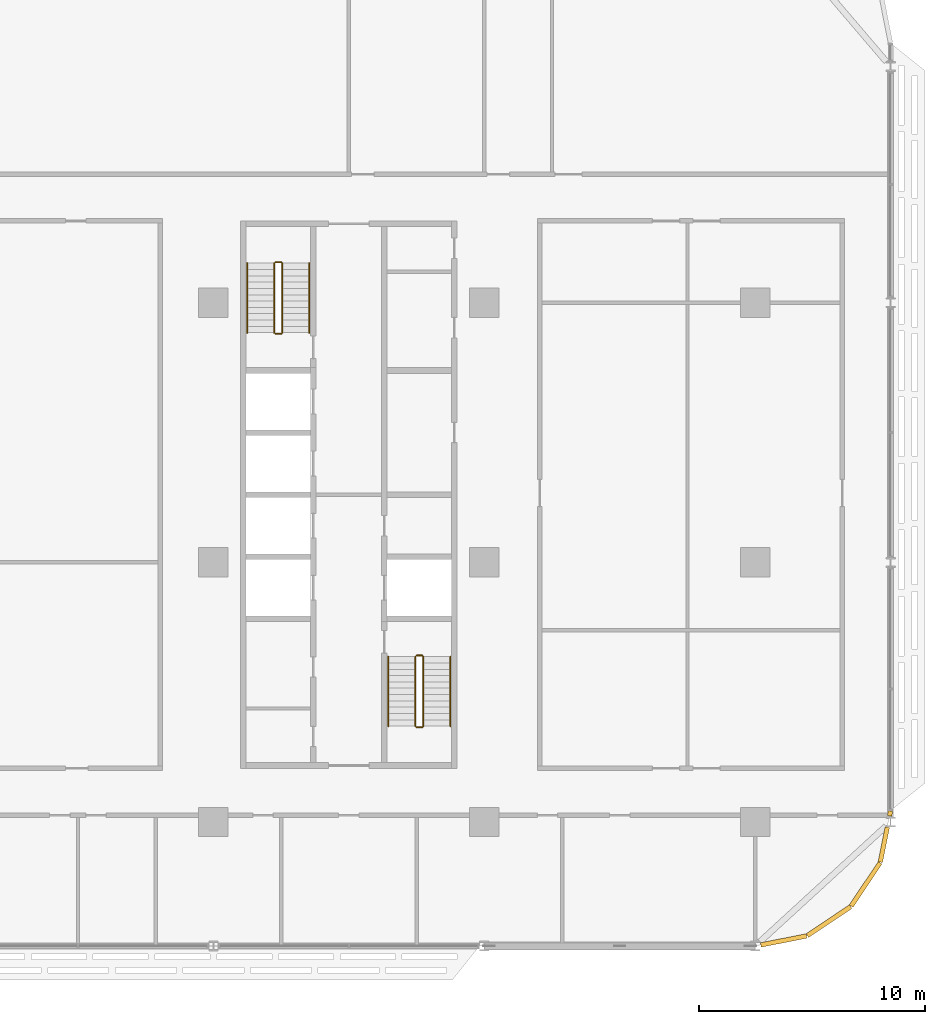
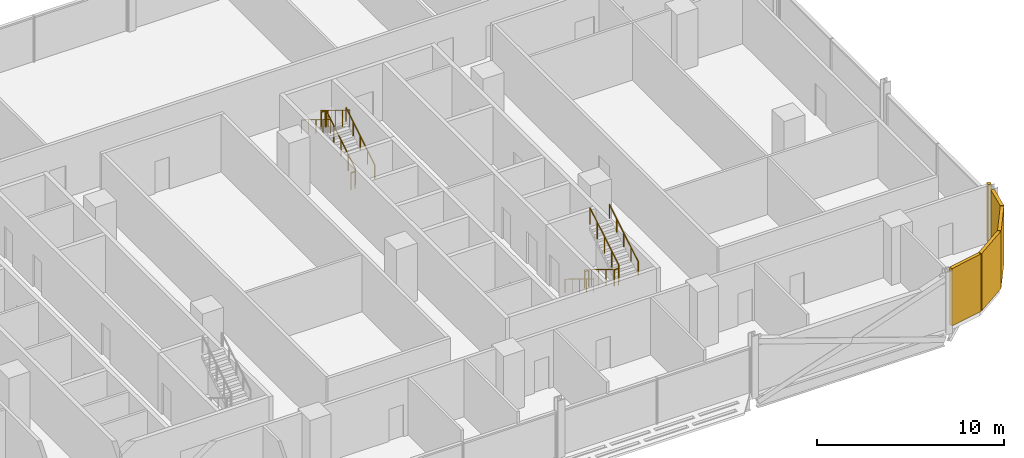
# One storey, part 28 of 29: 12 railings, 5 coverings.
"""IFC4 building model written with IfcOpenShell, lengths in metres."""

import ifcopenshell
import ifcopenshell.guid

model = None  # the IFC model being written
_history = None  # IfcOwnerHistory: only IFC2X3 demands one
_inside = {}  # id of a spatial element -> (the spatial element, [elements in it])
_under = {}  # id of a project, library or spatial element -> (it, [spatial elements below it])
_declared = {}  # id of a project -> (the project, [libraries it declares])
_typed = {}  # id of a type object -> (the type object, [elements of that type])
_made_of = {}  # id of a material, layer set ... -> (it, [elements and type objects made of it])


def new_model(schema):
    """Start an empty IFC model of exactly this schema.

    Asked for "IFC4X3", IfcOpenShell would pick the latest addendum, in which some entities
    have other attributes; the version numbers below select the first issue.
    IFC2X3 requires an IfcOwnerHistory on every rooted entity: one is made here for all.
    """
    global model, _history
    if schema == "IFC4X3":
        model = ifcopenshell.file(schema_version=(4, 3, 0, 0))
    else:
        model = ifcopenshell.file(schema=schema)
    _inside.clear()
    _under.clear()
    _declared.clear()
    _typed.clear()
    _made_of.clear()
    _history = None
    if model.schema == "IFC2X3":
        org = make("IfcOrganization", Name="unknown")
        user = make(
            "IfcPersonAndOrganization",
            ThePerson=make("IfcPerson", FamilyName="unknown"),
            TheOrganization=org,
        )
        app = make(
            "IfcApplication",
            ApplicationDeveloper=org,
            Version="unknown",
            ApplicationFullName="unknown",
            ApplicationIdentifier="unknown",
        )
        _history = make(
            "IfcOwnerHistory",
            OwningUser=user,
            OwningApplication=app,
            ChangeAction="ADDED",
            CreationDate=0,
        )
    return model


def make(cls, **values):
    """One entity of the class cls with the attributes given. An attribute that is None is left unset."""
    return model.create_entity(
        cls, **{name: value for name, value in values.items() if value is not None}
    )


def rooted(cls, **values):
    """An entity with a GlobalId (a new one), such as an element, a storey or a relation."""
    return make(cls, GlobalId=ifcopenshell.guid.new(), OwnerHistory=_history, **values)


def si_unit(unit_type, name, prefix=None):
    """IfcSIUnit, for example si_unit("LENGTHUNIT", "METRE", prefix="MILLI")."""
    return make("IfcSIUnit", UnitType=unit_type, Prefix=prefix, Name=name)


def assignment(units):
    """IfcUnitAssignment: the units of a project."""
    return None if units is None else make("IfcUnitAssignment", Units=units)


def point(xyz):
    """IfcCartesianPoint."""
    return None if xyz is None else make("IfcCartesianPoint", Coordinates=xyz)


def direction(xyz):
    """IfcDirection."""
    return None if xyz is None else make("IfcDirection", DirectionRatios=xyz)


def frame(location, z_axis=None, x_axis=None):
    """IfcAxis2Placement3D, a coordinate frame: its origin and axes. An axis left out is left unset."""
    return make(
        "IfcAxis2Placement3D",
        Location=point(location),
        Axis=direction(z_axis),
        RefDirection=direction(x_axis),
    )


def frame_2d(location, x_axis=None):
    """IfcAxis2Placement2D, a coordinate frame in the plane: its origin and x axis."""
    return make(
        "IfcAxis2Placement2D", Location=point(location), RefDirection=direction(x_axis)
    )


def origin():
    """The frame at (0, 0, 0) with its axes left unset."""
    return frame((0.0, 0.0, 0.0))


def origin_2d():
    """The frame at (0, 0) in the plane with its x axis left unset."""
    return frame_2d((0.0, 0.0))


def place(relative_to, where):
    """IfcLocalPlacement: puts the frame where relative to a parent placement (None: the world)."""
    return make(
        "IfcLocalPlacement", PlacementRelTo=relative_to, RelativePlacement=where
    )


def context(
    kind, dimensions, precision=None, world=None, true_north=None, identifier=None
):
    """IfcGeometricRepresentationContext, for example the 3D "Model" context."""
    return make(
        "IfcGeometricRepresentationContext",
        ContextIdentifier=identifier,
        ContextType=kind,
        CoordinateSpaceDimension=dimensions,
        Precision=precision,
        WorldCoordinateSystem=world,
        TrueNorth=true_north,
    )


def subcontext(parent, identifier, kind, view, scale=None):
    """IfcGeometricRepresentationSubContext, for example "Body" below "Model"."""
    return make(
        "IfcGeometricRepresentationSubContext",
        ContextIdentifier=identifier,
        ContextType=kind,
        ParentContext=parent,
        TargetScale=scale,
        TargetView=view,
    )


def project(units=None, contexts=None):
    """IfcProject with its units and contexts."""
    return rooted(
        "IfcProject",
        Name="project",
        RepresentationContexts=contexts,
        UnitsInContext=assignment(units),
    )


def spatial(cls, under=None, at=None, **own):
    """A site, building, storey or space (cls), placed at a placement, below another one or the project."""
    s = rooted(cls, ObjectPlacement=at, **own)
    if under is not None:
        _under.setdefault(under.id(), (under, []))[1].append(s)
    return s


def profile(cls, at=None, kind="AREA", **sizes):
    """A parametric profile (cls). Its sizes go by their IFC names, for example OverallWidth=200.0."""
    return make(cls, ProfileType=kind, Position=at, **sizes)


def rectangle(**sizes):
    """IfcRectangleProfileDef."""
    return profile("IfcRectangleProfileDef", **sizes)


def circle(**sizes):
    """IfcCircleProfileDef."""
    return profile("IfcCircleProfileDef", **sizes)


def extrude(swept, where, along, depth):
    """IfcExtrudedAreaSolid: the profile swept, set in the frame where, extruded along a direction by depth."""
    return make(
        "IfcExtrudedAreaSolid",
        SweptArea=swept,
        Position=where,
        ExtrudedDirection=direction(along),
        Depth=depth,
    )


def shape(context_of_items, identifier, shape_type, items):
    """IfcShapeRepresentation: the items that make up one representation, for example the "Body"."""
    return make(
        "IfcShapeRepresentation",
        ContextOfItems=context_of_items,
        RepresentationIdentifier=identifier,
        RepresentationType=shape_type,
        Items=items,
    )


def material(Name=None, Category=None):
    """IfcMaterial."""
    return make("IfcMaterial", Name=Name, Category=Category)


def layer(
    of_material, thickness, ventilated=None, Name=None, Category=None, Priority=None
):
    """IfcMaterialLayer: one layer of a wall or slab, of a material (None: an air gap)."""
    return make(
        "IfcMaterialLayer",
        Material=of_material,
        LayerThickness=thickness,
        IsVentilated=ventilated,
        Name=Name,
        Category=Category,
        Priority=Priority,
    )


def layer_set(layers, Name=None):
    """IfcMaterialLayerSet."""
    return make("IfcMaterialLayerSet", MaterialLayers=layers, LayerSetName=Name)


def made_of(thing, what):
    """Note that an element or type object is made of a material, layer set ...; save() writes the relation."""
    if what is not None:
        _made_of.setdefault(what.id(), (what, []))[1].append(thing)
    return thing


def type_object(cls, material=None, **own):
    """A type object (cls), such as IfcWallType, which elements share."""
    return made_of(rooted(cls, **own), material)


def element(
    cls,
    number,
    at=None,
    inside=None,
    cuts=None,
    type_object=None,
    material=None,
    context=None,
    identifier="Body",
    shape_type=None,
    held_by="IfcProductDefinitionShape",
    body=None,
    shapes=None,
    **own,
):
    """One element of the class cls, such as IfcWall. Its Tag is "e" and its number.

    at: its placement. inside: the storey or other place that contains it. cuts: it is an
    opening in that element (IfcRelVoidsElement). A single representation is given by context,
    identifier, shape_type and body (its items); several are given by shapes. held_by: the class
    of the entity that holds the representations. save() writes the other relations.
    """
    e = rooted(cls, Tag="e%d" % number, ObjectPlacement=at, **own)
    if body is not None:
        shapes = [shape(context, identifier, shape_type, body)]
    if shapes is not None:
        e.Representation = make(held_by, Representations=shapes)
    if inside is not None:
        _inside.setdefault(inside.id(), (inside, []))[1].append(e)
    if cuts is not None:
        rooted(
            "IfcRelVoidsElement", RelatingBuildingElement=cuts, RelatedOpeningElement=e
        )
    if type_object is not None:
        _typed.setdefault(type_object.id(), (type_object, []))[1].append(e)
    return made_of(e, material)


def aggregate(whole, parts):
    """IfcRelAggregates: a whole, such as a stair, and the parts it consists of."""
    return rooted("IfcRelAggregates", RelatingObject=whole, RelatedObjects=parts)


def save(model, path):
    """Write the relations noted so far, then the file.

    IfcRelAggregates (storeys below a building ...), IfcRelContainedInSpatialStructure (elements
    in a storey), IfcRelDefinesByType, IfcRelAssociatesMaterial and IfcRelDeclares: one each for
    every whole, place, type object, material and project.
    """
    for whole, parts in _under.values():
        aggregate(whole, parts)
    for where, things in _inside.values():
        rooted(
            "IfcRelContainedInSpatialStructure",
            RelatedElements=things,
            RelatingStructure=where,
        )
    for kind, things in _typed.values():
        rooted("IfcRelDefinesByType", RelatedObjects=things, RelatingType=kind)
    for what, things in _made_of.values():
        rooted("IfcRelAssociatesMaterial", RelatedObjects=things, RelatingMaterial=what)
    for by, libraries in _declared.values():
        rooted("IfcRelDeclares", RelatingContext=by, RelatedDefinitions=libraries)
    model.write(path)


model = new_model("IFC4")

# Units and contexts
model_context = context("Model", 3, precision=1e-05, world=origin(), true_north=direction((0.0, 1.0)))
body_context = subcontext(model_context, "Body", "Model", "MODEL_VIEW")
ifc_project = project(units=[si_unit("LENGTHUNIT", "METRE"), si_unit("AREAUNIT", "SQUARE_METRE"), si_unit("VOLUMEUNIT", "CUBIC_METRE"), si_unit("PLANEANGLEUNIT", "RADIAN"), si_unit("MASSUNIT", "GRAM", prefix="KILO")], contexts=[model_context])

# Site, building, storey
site_placement = place(None, origin())
site = spatial("IfcSite", under=ifc_project, at=site_placement, CompositionType="ELEMENT")
building_placement = place(site_placement, origin())
building = spatial("IfcBuilding", under=site, at=building_placement, Name="Mahtab Terrace Research Tower", CompositionType="ELEMENT")
storey_placement = place(building_placement, frame((0.0, 0.0, 146.60009765625)))
storey = spatial("IfcBuildingStorey", under=building, at=storey_placement, Name="L34", CompositionType="ELEMENT", Elevation=146.60009765625)

# Coverings
ifc_material_1 = material(Name="Black aluminium cladding panel", Category="aluminium")
ifc_layer = layer(ifc_material_1, 0.199951171875)
ifc_layer_set = layer_set([ifc_layer], Name="Black metal corner cladding 200")
covering_type = type_object("IfcCoveringType", Name="Black metal corner cladding 200", PredefinedType="CLADDING", material=ifc_layer_set)
covering_1_placement = place(storey_placement, frame((43.263916015625, -16.74853515625, 0.0), z_axis=(0.0, 0.0, 1.0), x_axis=(0.980760981187, 0.195212442692, 0.0)))
element("IfcCovering", 1, at=covering_1_placement, inside=storey, type_object=covering_type, Name="Corner cladding L34 31", PredefinedType="CLADDING", context=body_context, shape_type="SweptSolid", body=[
    extrude(rectangle(XDim=2.064697265625, YDim=0.199951171875, at=origin_2d()), origin(), (0.0, 0.0, 1.0), 3.760009765625),
])
for number, where, z_axis, x_axis, name in (
    (2, (45.26953125, -15.89306640625, 0.0), (0.0, 0.0, 1.0), (0.831655794326, 0.555291490808, 0.0), "Corner cladding L34 32"),
    (3, (46.89306640625, -14.26953125, 0.0), (0.0, 0.0, 1.0), (0.555291490808, 0.831655794326, 0.0), "Corner cladding L34 33"),
):
    element("IfcCovering", number, at=place(storey_placement, frame(where, z_axis=z_axis, x_axis=x_axis)), inside=storey, type_object=covering_type, Name=name, PredefinedType="CLADDING", context=body_context, shape_type="SweptSolid", body=[
        extrude(rectangle(XDim=2.30126953125, YDim=0.199951171875, at=origin_2d()), origin(), (0.0, 0.0, 1.0), 3.760009765625),
    ])
covering_2_placement = place(storey_placement, frame((47.700439453125, -12.50439453125, 0.0), z_axis=(0.0, 0.0, 1.0), x_axis=(0.195212442692, 0.980760981187, 0.0)))
element("IfcCovering", 4, at=covering_2_placement, inside=storey, type_object=covering_type, Name="Corner cladding L34 34", PredefinedType="CLADDING", context=body_context, shape_type="SweptSolid", body=[
    extrude(rectangle(XDim=1.574462890625, YDim=0.199951171875, at=origin_2d()), origin(), (0.0, 0.0, 1.0), 3.760009765625),
])
covering_3_placement = place(storey_placement, frame((47.97607421875, -11.11962890625, 0.0), z_axis=(0.0, 0.0, 1.0), x_axis=(0.195212442692, 0.980760981187, 0.0)))
element("IfcCovering", 5, at=covering_3_placement, inside=storey, type_object=covering_type, Name="Corner cladding L34 35", PredefinedType="CLADDING", context=body_context, shape_type="SweptSolid", body=[
    extrude(rectangle(XDim=0.22412109375, YDim=0.199951171875, at=origin_2d()), origin(), (0.0, 0.0, 1.0), 3.760009765625),
])

# Railings
ifc_material_2 = material(Name="Stainless steel AISI 304", Category="steel")
railing_type_1 = type_object("IfcRailingType", Name="Stair guard 1100", PredefinedType="GUARDRAIL", material=ifc_material_2)
railing_1_placement = place(storey_placement, frame((21.050048828125, 10.175048828125, 0.170654296875)))
element("IfcRailing", 6, at=railing_1_placement, inside=storey, type_object=railing_type_1, Name="L34 ST3 stair guard 1", PredefinedType="GUARDRAIL", context=body_context, shape_type="SweptSolid", body=[
    extrude(circle(Radius=0.02392578125, at=origin_2d()), frame((0.0, 0.0, 1.076171875), z_axis=(0.0, 0.853647949592, 0.520850437417), x_axis=(-1.0, 0.0, 0.0)), (0.0, 0.0, 1.0), 3.60791015625),
    extrude(circle(Radius=0.02099609375, at=origin_2d()), origin(), (0.0, 0.0, 1.0), 1.052001953125),
    extrude(circle(Radius=0.02099609375, at=origin_2d()), frame((0.0, 0.77001953125, 0.4697265625)), (0.0, 0.0, 1.0), 1.052001953125),
    extrude(circle(Radius=0.02099609375, at=origin_2d()), frame((0.0, 1.5400390625, 0.939453125)), (0.0, 0.0, 1.0), 1.052001953125),
    extrude(circle(Radius=0.02099609375, at=origin_2d()), frame((0.0, 2.309814453125, 1.409423828125)), (0.0, 0.0, 1.0), 1.052001953125),
    extrude(circle(Radius=0.02099609375, at=origin_2d()), frame((0.0, 3.079833984375, 1.879150390625)), (0.0, 0.0, 1.0), 1.052001953125),
])
railing_2_placement = place(storey_placement, frame((21.0, 13.304931640625, 2.0498046875)))
element("IfcRailing", 7, at=railing_2_placement, inside=storey, type_object=railing_type_1, Name="L34 ST3 stair guard 2", PredefinedType="GUARDRAIL", context=body_context, shape_type="SweptSolid", body=[
    extrude(circle(Radius=0.02392578125, at=origin_2d()), frame((0.0, 0.0, 1.076171875), z_axis=(-1.0, 0.0, 0.0), x_axis=(0.0, -1.0, 0.0)), (0.0, 0.0, 1.0), 0.25),
    extrude(circle(Radius=0.02099609375, at=origin_2d()), origin(), (0.0, 0.0, 1.0), 1.052001953125),
    extrude(circle(Radius=0.02099609375, at=origin_2d()), frame((-0.25, 0.0, 0.0)), (0.0, 0.0, 1.0), 1.052001953125),
])
railing_3_placement = place(storey_placement, frame((20.699951171875, 13.2548828125, 2.220703125)))
element("IfcRailing", 8, at=railing_3_placement, inside=storey, type_object=railing_type_1, Name="L34 ST3 stair guard 3", PredefinedType="GUARDRAIL", context=body_context, shape_type="SweptSolid", body=[
    extrude(circle(Radius=0.02392578125, at=origin_2d()), frame((0.0, 0.0, 1.076171875), z_axis=(0.0, -0.853647949592, 0.520850437417), x_axis=(1.0, 0.0, 0.0)), (0.0, 0.0, 1.0), 3.60791015625),
    extrude(circle(Radius=0.02099609375, at=origin_2d()), origin(), (0.0, 0.0, 1.0), 1.052001953125),
    extrude(circle(Radius=0.02099609375, at=origin_2d()), frame((0.0, -0.77001953125, 0.4697265625)), (0.0, 0.0, 1.0), 1.052001953125),
    extrude(circle(Radius=0.02099609375, at=origin_2d()), frame((0.0, -1.5400390625, 0.939453125)), (0.0, 0.0, 1.0), 1.052001953125),
    extrude(circle(Radius=0.02099609375, at=origin_2d()), frame((0.0, -2.309814453125, 1.409423828125)), (0.0, 0.0, 1.0), 1.052001953125),
    extrude(circle(Radius=0.02099609375, at=origin_2d()), frame((0.0, -3.079833984375, 1.879150390625)), (0.0, 0.0, 1.0), 1.052001953125),
])
railing_4_placement = place(storey_placement, frame((21.0, 10.125, 0.0)))
element("IfcRailing", 9, at=railing_4_placement, inside=storey, type_object=railing_type_1, Name="L34 ST3 stair guard 4", PredefinedType="GUARDRAIL", context=body_context, shape_type="SweptSolid", body=[
    extrude(circle(Radius=0.02392578125, at=origin_2d()), frame((0.0, 0.0, 1.076171875), z_axis=(-1.0, 0.0, 0.0), x_axis=(0.0, -1.0, 0.0)), (0.0, 0.0, 1.0), 0.25),
    extrude(circle(Radius=0.02099609375, at=origin_2d()), origin(), (0.0, 0.0, 1.0), 1.052001953125),
    extrude(circle(Radius=0.02099609375, at=origin_2d()), frame((-0.25, 0.0, 0.0)), (0.0, 0.0, 1.0), 1.052001953125),
])
railing_5_placement = place(storey_placement, frame((26.949951171875, -4.175048828125, 0.170654296875)))
element("IfcRailing", 10, at=railing_5_placement, inside=storey, type_object=railing_type_1, Name="L34 ST4 stair guard 1", PredefinedType="GUARDRAIL", context=body_context, shape_type="SweptSolid", body=[
    extrude(circle(Radius=0.02392578125, at=origin_2d()), frame((0.0, 0.0, 1.076171875), z_axis=(0.0, -0.853647949592, 0.520850437417), x_axis=(1.0, 0.0, 0.0)), (0.0, 0.0, 1.0), 3.60791015625),
    extrude(circle(Radius=0.02099609375, at=origin_2d()), origin(), (0.0, 0.0, 1.0), 1.052001953125),
    extrude(circle(Radius=0.02099609375, at=origin_2d()), frame((0.0, -0.77001953125, 0.4697265625)), (0.0, 0.0, 1.0), 1.052001953125),
    extrude(circle(Radius=0.02099609375, at=origin_2d()), frame((0.0, -1.5400390625, 0.939453125)), (0.0, 0.0, 1.0), 1.052001953125),
    extrude(circle(Radius=0.02099609375, at=origin_2d()), frame((0.0, -2.309814453125, 1.409423828125)), (0.0, 0.0, 1.0), 1.052001953125),
    extrude(circle(Radius=0.02099609375, at=origin_2d()), frame((0.0, -3.079833984375, 1.879150390625)), (0.0, 0.0, 1.0), 1.052001953125),
])
railing_6_placement = place(storey_placement, frame((27.0, -7.304931640625, 2.0498046875)))
element("IfcRailing", 11, at=railing_6_placement, inside=storey, type_object=railing_type_1, Name="L34 ST4 stair guard 2", PredefinedType="GUARDRAIL", context=body_context, shape_type="SweptSolid", body=[
    extrude(circle(Radius=0.02392578125, at=origin_2d()), frame((0.0, 0.0, 1.076171875), z_axis=(1.0, 0.0, 0.0), x_axis=(0.0, 1.0, 0.0)), (0.0, 0.0, 1.0), 0.25),
    extrude(circle(Radius=0.02099609375, at=origin_2d()), origin(), (0.0, 0.0, 1.0), 1.052001953125),
    extrude(circle(Radius=0.02099609375, at=origin_2d()), frame((0.25, 0.0, 0.0)), (0.0, 0.0, 1.0), 1.052001953125),
])
railing_7_placement = place(storey_placement, frame((27.300048828125, -7.2548828125, 2.220703125)))
element("IfcRailing", 12, at=railing_7_placement, inside=storey, type_object=railing_type_1, Name="L34 ST4 stair guard 3", PredefinedType="GUARDRAIL", context=body_context, shape_type="SweptSolid", body=[
    extrude(circle(Radius=0.02392578125, at=origin_2d()), frame((0.0, 0.0, 1.076171875), z_axis=(0.0, 0.853647949592, 0.520850437417), x_axis=(-1.0, 0.0, 0.0)), (0.0, 0.0, 1.0), 3.60791015625),
    extrude(circle(Radius=0.02099609375, at=origin_2d()), origin(), (0.0, 0.0, 1.0), 1.052001953125),
    extrude(circle(Radius=0.02099609375, at=origin_2d()), frame((0.0, 0.77001953125, 0.4697265625)), (0.0, 0.0, 1.0), 1.052001953125),
    extrude(circle(Radius=0.02099609375, at=origin_2d()), frame((0.0, 1.5400390625, 0.939453125)), (0.0, 0.0, 1.0), 1.052001953125),
    extrude(circle(Radius=0.02099609375, at=origin_2d()), frame((0.0, 2.309814453125, 1.409423828125)), (0.0, 0.0, 1.0), 1.052001953125),
    extrude(circle(Radius=0.02099609375, at=origin_2d()), frame((0.0, 3.079833984375, 1.879150390625)), (0.0, 0.0, 1.0), 1.052001953125),
])
railing_8_placement = place(storey_placement, frame((27.0, -4.125, 0.0)))
element("IfcRailing", 13, at=railing_8_placement, inside=storey, type_object=railing_type_1, Name="L34 ST4 stair guard 4", PredefinedType="GUARDRAIL", context=body_context, shape_type="SweptSolid", body=[
    extrude(circle(Radius=0.02392578125, at=origin_2d()), frame((0.0, 0.0, 1.076171875), z_axis=(1.0, 0.0, 0.0), x_axis=(0.0, 1.0, 0.0)), (0.0, 0.0, 1.0), 0.25),
    extrude(circle(Radius=0.02099609375, at=origin_2d()), origin(), (0.0, 0.0, 1.0), 1.052001953125),
    extrude(circle(Radius=0.02099609375, at=origin_2d()), frame((0.25, 0.0, 0.0)), (0.0, 0.0, 1.0), 1.052001953125),
])
railing_type_2 = type_object("IfcRailingType", Name="Stair handrail 900", PredefinedType="HANDRAIL", material=ifc_material_2)
railing_9_placement = place(storey_placement, frame((22.25, 10.175048828125, 0.170654296875)))
element("IfcRailing", 14, at=railing_9_placement, inside=storey, type_object=railing_type_2, Name="L34 ST3 stair handrail 1", PredefinedType="HANDRAIL", context=body_context, shape_type="SweptSolid", body=[
    extrude(circle(Radius=0.02392578125, at=origin_2d()), frame((0.0, 0.0, 0.8759765625), z_axis=(0.0, 0.853647949592, 0.520850437417), x_axis=(-1.0, 0.0, 0.0)), (0.0, 0.0, 1.0), 3.60791015625),
    extrude(circle(Radius=0.02099609375, at=origin_2d()), origin(), (0.0, 0.0, 1.0), 0.851806640625),
    extrude(circle(Radius=0.02099609375, at=origin_2d()), frame((0.0, 0.77001953125, 0.4697265625)), (0.0, 0.0, 1.0), 0.851806640625),
    extrude(circle(Radius=0.02099609375, at=origin_2d()), frame((0.0, 1.5400390625, 0.939453125)), (0.0, 0.0, 1.0), 0.851806640625),
    extrude(circle(Radius=0.02099609375, at=origin_2d()), frame((0.0, 2.309814453125, 1.409423828125)), (0.0, 0.0, 1.0), 0.851806640625),
    extrude(circle(Radius=0.02099609375, at=origin_2d()), frame((0.0, 3.079833984375, 1.879150390625)), (0.0, 0.0, 1.0), 0.851806640625),
])
for number, where, name in (
    (15, (19.5, 13.2548828125, 2.220703125), "L34 ST3 stair handrail 2"),
    (16, (25.75, -4.175048828125, 0.170654296875), "L34 ST4 stair handrail 1"),
):
    element("IfcRailing", number, at=place(storey_placement, frame(where)), inside=storey, type_object=railing_type_2, Name=name, PredefinedType="HANDRAIL", context=body_context, shape_type="SweptSolid", body=[
        extrude(circle(Radius=0.02392578125, at=origin_2d()), frame((0.0, 0.0, 0.8759765625), z_axis=(0.0, -0.853647949592, 0.520850437417), x_axis=(1.0, 0.0, 0.0)), (0.0, 0.0, 1.0), 3.60791015625),
        extrude(circle(Radius=0.02099609375, at=origin_2d()), origin(), (0.0, 0.0, 1.0), 0.851806640625),
        extrude(circle(Radius=0.02099609375, at=origin_2d()), frame((0.0, -0.77001953125, 0.4697265625)), (0.0, 0.0, 1.0), 0.851806640625),
        extrude(circle(Radius=0.02099609375, at=origin_2d()), frame((0.0, -1.5400390625, 0.939453125)), (0.0, 0.0, 1.0), 0.851806640625),
        extrude(circle(Radius=0.02099609375, at=origin_2d()), frame((0.0, -2.309814453125, 1.409423828125)), (0.0, 0.0, 1.0), 0.851806640625),
        extrude(circle(Radius=0.02099609375, at=origin_2d()), frame((0.0, -3.079833984375, 1.879150390625)), (0.0, 0.0, 1.0), 0.851806640625),
    ])
railing_10_placement = place(storey_placement, frame((28.5, -7.2548828125, 2.220703125)))
element("IfcRailing", 17, at=railing_10_placement, inside=storey, type_object=railing_type_2, Name="L34 ST4 stair handrail 2", PredefinedType="HANDRAIL", context=body_context, shape_type="SweptSolid", body=[
    extrude(circle(Radius=0.02392578125, at=origin_2d()), frame((0.0, 0.0, 0.8759765625), z_axis=(0.0, 0.853647949592, 0.520850437417), x_axis=(-1.0, 0.0, 0.0)), (0.0, 0.0, 1.0), 3.60791015625),
    extrude(circle(Radius=0.02099609375, at=origin_2d()), origin(), (0.0, 0.0, 1.0), 0.851806640625),
    extrude(circle(Radius=0.02099609375, at=origin_2d()), frame((0.0, 0.77001953125, 0.4697265625)), (0.0, 0.0, 1.0), 0.851806640625),
    extrude(circle(Radius=0.02099609375, at=origin_2d()), frame((0.0, 1.5400390625, 0.939453125)), (0.0, 0.0, 1.0), 0.851806640625),
    extrude(circle(Radius=0.02099609375, at=origin_2d()), frame((0.0, 2.309814453125, 1.409423828125)), (0.0, 0.0, 1.0), 0.851806640625),
    extrude(circle(Radius=0.02099609375, at=origin_2d()), frame((0.0, 3.079833984375, 1.879150390625)), (0.0, 0.0, 1.0), 0.851806640625),
])

save(model, "model.ifc")
